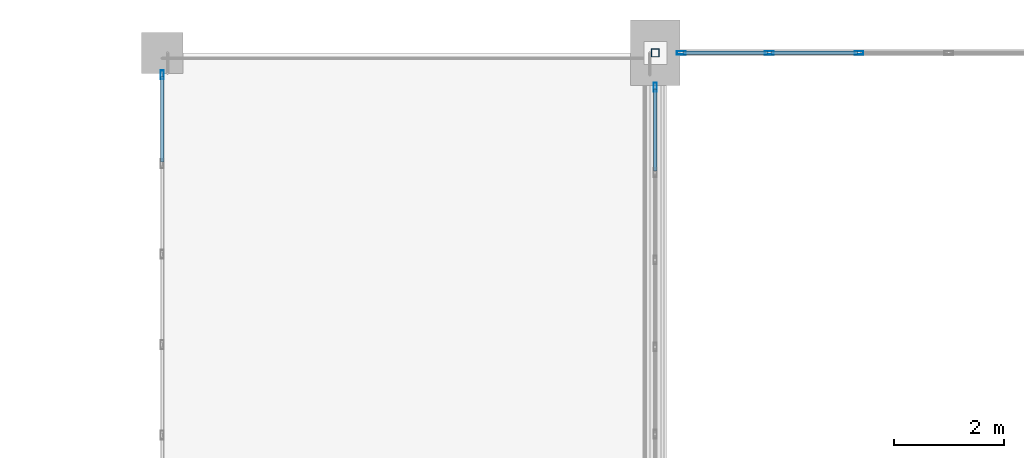
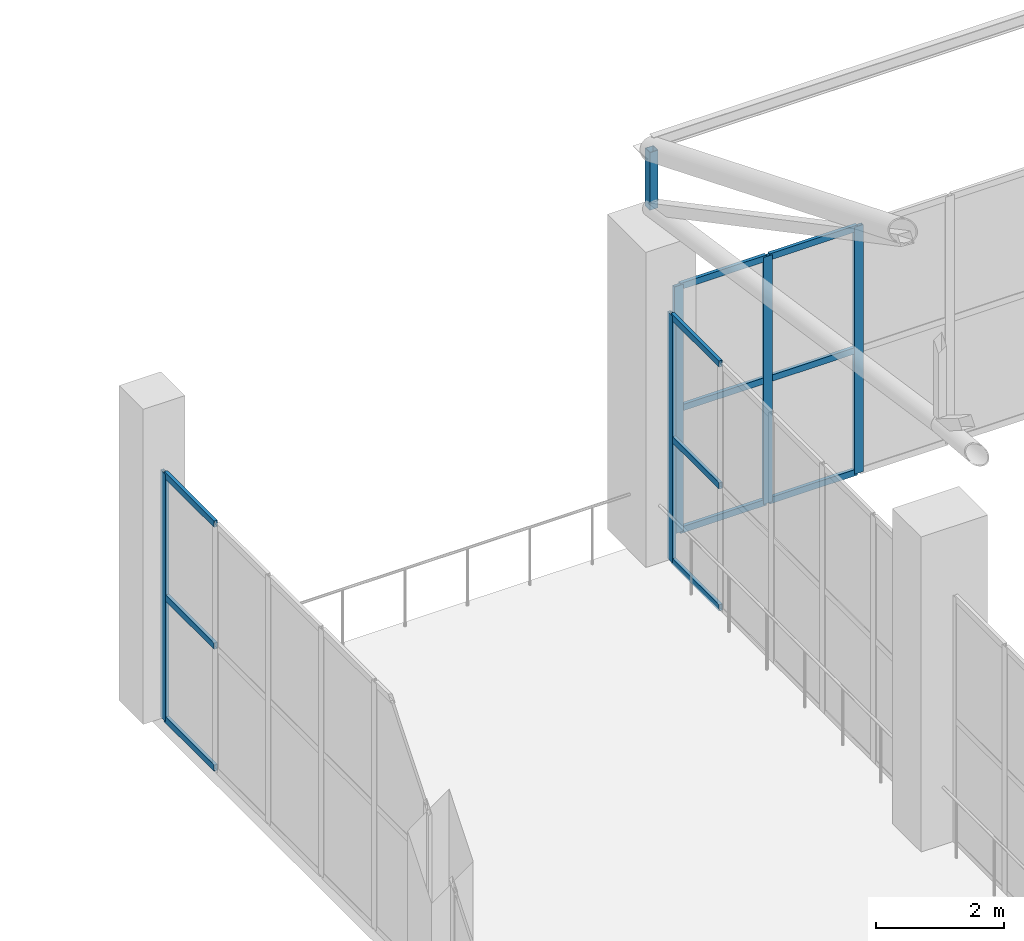
# One storey, part 129 of 223: 18 members, 3 elements without a shape of their own.
"""IFC4 building model written with IfcOpenShell, lengths in metres."""

from ifc_helpers import new_model, si_unit, direction, frame, origin, origin_2d, place, context, subcontext, project, spatial, hollow_rectangle, extrude, material, layer, layer_set, material_profile, profile_set, type_object, element, aggregate, save


model = new_model("IFC4")

# Units and contexts
model_context = context("Model", 3, precision=1e-05, world=origin(), true_north=direction((0.0, 1.0)))
body_context = subcontext(model_context, "Body", "Model", "MODEL_VIEW")
ifc_project = project(units=[si_unit("LENGTHUNIT", "METRE"), si_unit("AREAUNIT", "SQUARE_METRE"), si_unit("VOLUMEUNIT", "CUBIC_METRE"), si_unit("PLANEANGLEUNIT", "RADIAN"), si_unit("MASSUNIT", "GRAM", prefix="KILO")], contexts=[model_context])

# Site, building, storey
site_placement = place(None, origin())
site = spatial("IfcSite", under=ifc_project, at=site_placement, CompositionType="ELEMENT")
building_placement = place(site_placement, origin())
building = spatial("IfcBuilding", under=site, at=building_placement, Name="Dornveld Trade and Exhibition Forum", CompositionType="ELEMENT")
storey_placement = place(building_placement, frame((0.0, 0.0, 6.0)))
storey = spatial("IfcBuildingStorey", under=building, at=storey_placement, Name="L01", CompositionType="ELEMENT", Elevation=6.0)

# Curtain wall, member
ifc_material_1 = material(Name="Dark-bronze anodised aluminium and low-E glass", Category="aluminium")
ifc_layer_1 = layer(ifc_material_1, 0.196044921875)
ifc_layer_set_1 = layer_set([ifc_layer_1], Name="Dark-bronze anodised aluminium and low-E glass")
curtain_wall_type_1 = type_object("IfcCurtainWallType", Name="CW-SYS-18", PredefinedType="USERDEFINED", material=ifc_layer_set_1)
curtain_wall_1_placement = place(storey_placement, origin())
curtain_wall_1 = element("IfcCurtainWall", 1, at=curtain_wall_1_placement, inside=storey, type_object=curtain_wall_type_1, Name="L01 unitised curtain wall 18", ObjectType="UNITISED_CURTAIN_WALL", PredefinedType="USERDEFINED")
ifc_material_2 = material(Name="Dark-bronze anodised aluminium", Category="aluminium")
ifc_material_profile_1 = material_profile(ifc_material_2, hollow_rectangle(XDim=0.06005859375, YDim=0.159912109375, WallThickness=0.00390625, at=origin_2d()), Name="RHS 160x60x4")
ifc_profile_set_1 = profile_set([ifc_material_profile_1], Name="Dark-bronze anodised aluminium")
member_type_1 = type_object("IfcMemberType", Name="CW-MUL-160", PredefinedType="MULLION", material=ifc_profile_set_1)
member_1_placement = place(storey_placement, frame((99.0, 161.3740234375, -0.00390625), z_axis=(0.0, 0.0, 1.0), x_axis=(1.0, 0.0, 0.0)))
member_1 = element("IfcMember", 2, at=member_1_placement, type_object=member_type_1, Name="CW-18 mullion 1", PredefinedType="MULLION", context=body_context, shape_type="SweptSolid", body=[
    extrude(hollow_rectangle(XDim=0.06005859375, YDim=0.159912109375, WallThickness=0.00390625, at=origin_2d()), origin(), (0.0, 0.0, 1.0), 4.703857421875),
])

# Curtain wall, members
ifc_material_3 = material(Name="Dark-bronze anodised aluminium and low-E glass", Category="aluminium")
ifc_layer_2 = layer(ifc_material_3, 0.177978515625)
ifc_layer_set_2 = layer_set([ifc_layer_2], Name="Dark-bronze anodised aluminium and low-E glass")
curtain_wall_type_2 = type_object("IfcCurtainWallType", Name="CW-SYS-12", PredefinedType="USERDEFINED", material=ifc_layer_set_2)
curtain_wall_2_placement = place(storey_placement, origin())
curtain_wall_2 = element("IfcCurtainWall", 3, at=curtain_wall_2_placement, inside=storey, type_object=curtain_wall_type_2, Name="L01 unitised curtain wall 138", ObjectType="UNITISED_CURTAIN_WALL", PredefinedType="USERDEFINED")
member_2_placement = place(storey_placement, frame((102.71923828125, 162.0, -0.00390625), z_axis=(0.0, 0.0, 1.0), x_axis=(0.0, -1.0, 0.0)))
member_2 = element("IfcMember", 4, at=member_2_placement, type_object=member_type_1, Name="CW-12 mullion 4", PredefinedType="MULLION", context=body_context, shape_type="SweptSolid", body=[
    extrude(hollow_rectangle(XDim=0.06005859375, YDim=0.159912109375, WallThickness=0.00390625, at=origin_2d()), origin(), (0.0, 0.0, 1.0), 4.703857421875),
])
member_3_placement = place(storey_placement, frame((101.08251953125, 162.0, -0.00390625), z_axis=(0.0, 0.0, 1.0), x_axis=(0.0, -1.0, 0.0)))
member_3 = element("IfcMember", 5, at=member_3_placement, type_object=member_type_1, Name="CW-12 mullion 5", PredefinedType="MULLION", context=body_context, shape_type="SweptSolid", body=[
    extrude(hollow_rectangle(XDim=0.06005859375, YDim=0.159912109375, WallThickness=0.00390625, at=origin_2d()), origin(), (0.0, 0.0, 1.0), 4.703857421875),
])
member_4_placement = place(storey_placement, frame((99.47607421875, 162.0, -0.00390625), z_axis=(0.0, 0.0, 1.0), x_axis=(0.0, -1.0, 0.0)))
member_4 = element("IfcMember", 6, at=member_4_placement, type_object=member_type_1, Name="CW-12 mullion 6", PredefinedType="MULLION", context=body_context, shape_type="SweptSolid", body=[
    extrude(hollow_rectangle(XDim=0.06005859375, YDim=0.159912109375, WallThickness=0.00390625, at=origin_2d()), origin(), (0.0, 0.0, 1.0), 4.703857421875),
])

# Curtain wall, member
ifc_material_4 = material(Name="Dark-bronze anodised aluminium and low-E glass", Category="aluminium")
ifc_layer_3 = layer(ifc_material_4, 0.1630859375)
ifc_layer_set_3 = layer_set([ifc_layer_3], Name="Dark-bronze anodised aluminium and low-E glass")
curtain_wall_type_3 = type_object("IfcCurtainWallType", Name="CW-SYS-07", PredefinedType="USERDEFINED", material=ifc_layer_set_3)
curtain_wall_3_placement = place(storey_placement, origin())
curtain_wall_3 = element("IfcCurtainWall", 7, at=curtain_wall_3_placement, inside=storey, type_object=curtain_wall_type_3, Name="L01 unitised curtain wall 151", ObjectType="UNITISED_CURTAIN_WALL", PredefinedType="USERDEFINED")
member_5_placement = place(storey_placement, frame((90.0, 161.59912109375, -0.00390625), z_axis=(0.0, 0.0, 1.0), x_axis=(1.0, 0.0, 0.0)))
member_5 = element("IfcMember", 8, at=member_5_placement, type_object=member_type_1, Name="CW-07 mullion 1", PredefinedType="MULLION", context=body_context, shape_type="SweptSolid", body=[
    extrude(hollow_rectangle(XDim=0.06005859375, YDim=0.159912109375, WallThickness=0.00390625, at=origin_2d()), origin(), (0.0, 0.0, 1.0), 4.703857421875),
])

# Member
ifc_material_5 = material(Name="Dark-bronze anodised aluminium", Category="aluminium")
ifc_material_profile_2 = material_profile(ifc_material_5, hollow_rectangle(XDim=0.06005859375, YDim=0.1201171875, WallThickness=0.00390625, at=origin_2d()), Name="RHS 120x60x4")
ifc_profile_set_2 = profile_set([ifc_material_profile_2], Name="Dark-bronze anodised aluminium")
member_type_2 = type_object("IfcMemberType", Name="CW-TRN-120", PredefinedType="USERDEFINED", material=ifc_profile_set_2)
member_6_placement = place(storey_placement, frame((99.0, 161.343994140625, 0.02587890625), z_axis=(0.0, -1.0, 0.0), x_axis=(1.0, 0.0, 0.0)))
member_6 = element("IfcMember", 9, at=member_6_placement, type_object=member_type_2, Name="CW-18 transom 1.1", ObjectType="TRANSOM", PredefinedType="USERDEFINED", context=body_context, shape_type="SweptSolid", body=[
    extrude(hollow_rectangle(XDim=0.06005859375, YDim=0.1201171875, WallThickness=0.00390625, at=origin_2d()), origin(), (0.0, 0.0, 1.0), 1.501708984375),
])

member_7_placement = place(storey_placement, frame((99.0, 161.343994140625, 2.347900390625), z_axis=(0.0, -1.0, 0.0), x_axis=(1.0, 0.0, 0.0)))
member_7 = element("IfcMember", 10, at=member_7_placement, type_object=member_type_2, Name="CW-18 transom 1.2", ObjectType="TRANSOM", PredefinedType="USERDEFINED", context=body_context, shape_type="SweptSolid", body=[
    extrude(hollow_rectangle(XDim=0.06005859375, YDim=0.1201171875, WallThickness=0.00390625, at=origin_2d()), origin(), (0.0, 0.0, 1.0), 1.501708984375),
])

member_8_placement = place(storey_placement, frame((99.0, 161.343994140625, 4.669921875), z_axis=(0.0, -1.0, 0.0), x_axis=(1.0, 0.0, 0.0)))
member_8 = element("IfcMember", 11, at=member_8_placement, type_object=member_type_2, Name="CW-18 transom 1.3", ObjectType="TRANSOM", PredefinedType="USERDEFINED", context=body_context, shape_type="SweptSolid", body=[
    extrude(hollow_rectangle(XDim=0.06005859375, YDim=0.1201171875, WallThickness=0.00390625, at=origin_2d()), origin(), (0.0, 0.0, 1.0), 1.501708984375),
])

aggregate(curtain_wall_1, [member_1, member_6, member_7, member_8])

member_9_placement = place(storey_placement, frame((102.689208984375, 162.0, 0.02587890625), z_axis=(-1.0, 0.0, 0.0), x_axis=(0.0, -1.0, 0.0)))
member_9 = element("IfcMember", 12, at=member_9_placement, type_object=member_type_2, Name="CW-12 transom 4.1", ObjectType="TRANSOM", PredefinedType="USERDEFINED", context=body_context, shape_type="SweptSolid", body=[
    extrude(hollow_rectangle(XDim=0.06005859375, YDim=0.1201171875, WallThickness=0.00390625, at=origin_2d()), origin(), (0.0, 0.0, 1.0), 1.57666015625),
])

member_10_placement = place(storey_placement, frame((102.689208984375, 162.0, 2.347900390625), z_axis=(-1.0, 0.0, 0.0), x_axis=(0.0, -1.0, 0.0)))
member_10 = element("IfcMember", 13, at=member_10_placement, type_object=member_type_2, Name="CW-12 transom 4.2", ObjectType="TRANSOM", PredefinedType="USERDEFINED", context=body_context, shape_type="SweptSolid", body=[
    extrude(hollow_rectangle(XDim=0.06005859375, YDim=0.1201171875, WallThickness=0.00390625, at=origin_2d()), origin(), (0.0, 0.0, 1.0), 1.57666015625),
])

member_11_placement = place(storey_placement, frame((102.689208984375, 162.0, 4.669921875), z_axis=(-1.0, 0.0, 0.0), x_axis=(0.0, -1.0, 0.0)))
member_11 = element("IfcMember", 14, at=member_11_placement, type_object=member_type_2, Name="CW-12 transom 4.3", ObjectType="TRANSOM", PredefinedType="USERDEFINED", context=body_context, shape_type="SweptSolid", body=[
    extrude(hollow_rectangle(XDim=0.06005859375, YDim=0.1201171875, WallThickness=0.00390625, at=origin_2d()), origin(), (0.0, 0.0, 1.0), 1.57666015625),
])

member_12_placement = place(storey_placement, frame((101.052490234375, 162.0, 0.02587890625), z_axis=(-1.0, 0.0, 0.0), x_axis=(0.0, -1.0, 0.0)))
member_12 = element("IfcMember", 15, at=member_12_placement, type_object=member_type_2, Name="CW-12 transom 5.1", ObjectType="TRANSOM", PredefinedType="USERDEFINED", context=body_context, shape_type="SweptSolid", body=[
    extrude(hollow_rectangle(XDim=0.06005859375, YDim=0.1201171875, WallThickness=0.00390625, at=origin_2d()), origin(), (0.0, 0.0, 1.0), 1.54638671875),
])

member_13_placement = place(storey_placement, frame((101.052490234375, 162.0, 2.347900390625), z_axis=(-1.0, 0.0, 0.0), x_axis=(0.0, -1.0, 0.0)))
member_13 = element("IfcMember", 16, at=member_13_placement, type_object=member_type_2, Name="CW-12 transom 5.2", ObjectType="TRANSOM", PredefinedType="USERDEFINED", context=body_context, shape_type="SweptSolid", body=[
    extrude(hollow_rectangle(XDim=0.06005859375, YDim=0.1201171875, WallThickness=0.00390625, at=origin_2d()), origin(), (0.0, 0.0, 1.0), 1.54638671875),
])

member_14_placement = place(storey_placement, frame((101.052490234375, 162.0, 4.669921875), z_axis=(-1.0, 0.0, 0.0), x_axis=(0.0, -1.0, 0.0)))
member_14 = element("IfcMember", 17, at=member_14_placement, type_object=member_type_2, Name="CW-12 transom 5.3", ObjectType="TRANSOM", PredefinedType="USERDEFINED", context=body_context, shape_type="SweptSolid", body=[
    extrude(hollow_rectangle(XDim=0.06005859375, YDim=0.1201171875, WallThickness=0.00390625, at=origin_2d()), origin(), (0.0, 0.0, 1.0), 1.54638671875),
])

aggregate(curtain_wall_2, [member_2, member_3, member_4, member_9, member_10, member_11, member_12, member_13, member_14])

member_15_placement = place(storey_placement, frame((90.0, 161.569091796875, 0.02587890625), z_axis=(0.0, -1.0, 0.0), x_axis=(1.0, 0.0, 0.0)))
member_15 = element("IfcMember", 18, at=member_15_placement, type_object=member_type_2, Name="CW-07 transom 1.1", ObjectType="TRANSOM", PredefinedType="USERDEFINED", context=body_context, shape_type="SweptSolid", body=[
    extrude(hollow_rectangle(XDim=0.06005859375, YDim=0.1201171875, WallThickness=0.00390625, at=origin_2d()), origin(), (0.0, 0.0, 1.0), 1.561767578125),
])

member_16_placement = place(storey_placement, frame((90.0, 161.569091796875, 2.347900390625), z_axis=(0.0, -1.0, 0.0), x_axis=(1.0, 0.0, 0.0)))
member_16 = element("IfcMember", 19, at=member_16_placement, type_object=member_type_2, Name="CW-07 transom 1.2", ObjectType="TRANSOM", PredefinedType="USERDEFINED", context=body_context, shape_type="SweptSolid", body=[
    extrude(hollow_rectangle(XDim=0.06005859375, YDim=0.1201171875, WallThickness=0.00390625, at=origin_2d()), origin(), (0.0, 0.0, 1.0), 1.561767578125),
])

member_17_placement = place(storey_placement, frame((90.0, 161.569091796875, 4.669921875), z_axis=(0.0, -1.0, 0.0), x_axis=(1.0, 0.0, 0.0)))
member_17 = element("IfcMember", 20, at=member_17_placement, type_object=member_type_2, Name="CW-07 transom 1.3", ObjectType="TRANSOM", PredefinedType="USERDEFINED", context=body_context, shape_type="SweptSolid", body=[
    extrude(hollow_rectangle(XDim=0.06005859375, YDim=0.1201171875, WallThickness=0.00390625, at=origin_2d()), origin(), (0.0, 0.0, 1.0), 1.561767578125),
])

aggregate(curtain_wall_3, [member_5, member_15, member_16, member_17])

ifc_material_6 = material(Name="Steel S355J2", Category="steel")
ifc_material_profile_3 = material_profile(ifc_material_6, hollow_rectangle(XDim=0.14990234375, YDim=0.14990234375, WallThickness=0.008056640625, at=origin_2d()), Name="SHS 150x150x8")
ifc_profile_set_3 = profile_set([ifc_material_profile_3], Name="Steel S355J2")
member_type_3 = type_object("IfcMemberType", Name="MEM-ARCH-STR", PredefinedType="STRUT", material=ifc_profile_set_3)
member_18_placement = place(storey_placement, frame((99.0, 162.0, 6.35009765625), z_axis=(0.0, 0.0, 1.0), x_axis=(1.0, 0.0, 0.0)))
element("IfcMember", 21, at=member_18_placement, inside=storey, type_object=member_type_3, Name="H1 truss 1 end strut", PredefinedType="STRUT", context=body_context, shape_type="SweptSolid", body=[
    extrude(hollow_rectangle(XDim=0.14990234375, YDim=0.14990234375, WallThickness=0.008056640625, at=origin_2d()), origin(), (0.0, 0.0, 1.0), 1.099853515625),
])

save(model, "model.ifc")
